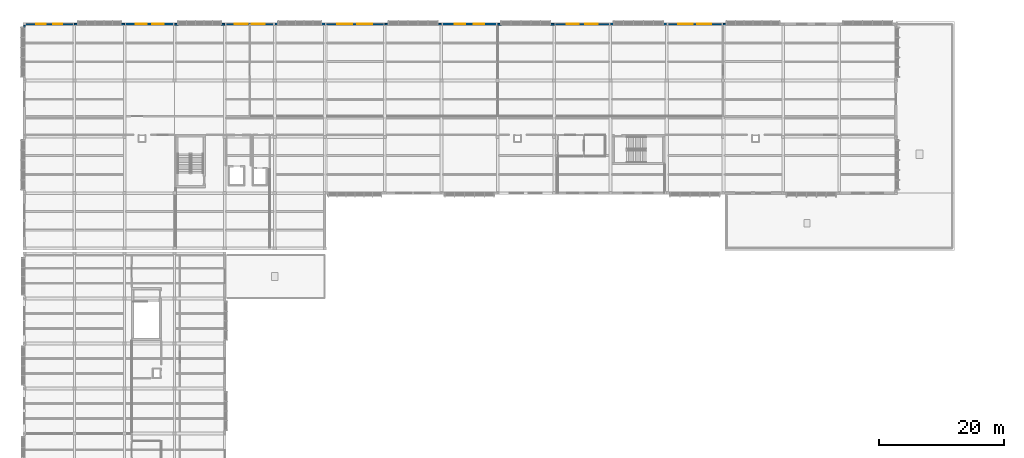
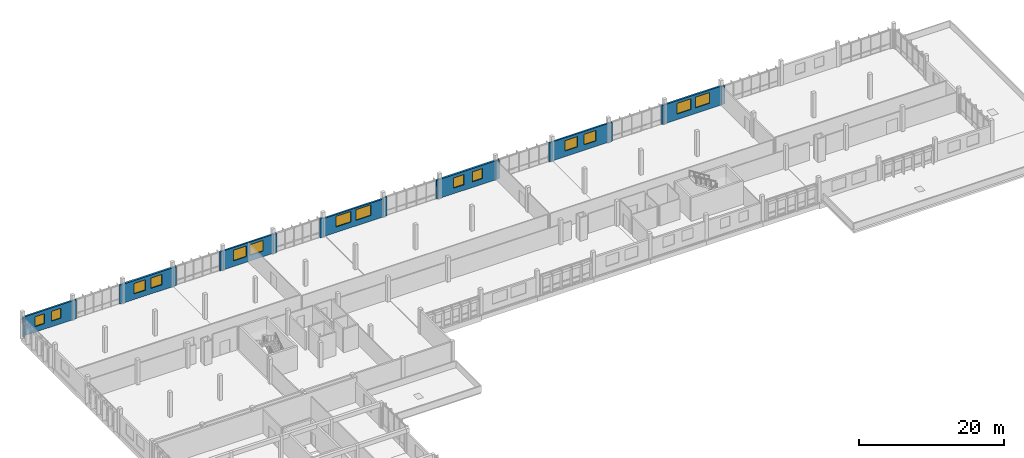
# One storey, part 99 of 107: 21 walls, 14 windows, 14 openings.
"""IFC4 building model written with IfcOpenShell, lengths in metres."""

import ifcopenshell
import ifcopenshell.guid

model = None  # the IFC model being written
_history = None  # IfcOwnerHistory: only IFC2X3 demands one
_inside = {}  # id of a spatial element -> (the spatial element, [elements in it])
_under = {}  # id of a project, library or spatial element -> (it, [spatial elements below it])
_declared = {}  # id of a project -> (the project, [libraries it declares])
_typed = {}  # id of a type object -> (the type object, [elements of that type])
_made_of = {}  # id of a material, layer set ... -> (it, [elements and type objects made of it])


def new_model(schema):
    """Start an empty IFC model of exactly this schema.

    Asked for "IFC4X3", IfcOpenShell would pick the latest addendum, in which some entities
    have other attributes; the version numbers below select the first issue.
    IFC2X3 requires an IfcOwnerHistory on every rooted entity: one is made here for all.
    """
    global model, _history
    if schema == "IFC4X3":
        model = ifcopenshell.file(schema_version=(4, 3, 0, 0))
    else:
        model = ifcopenshell.file(schema=schema)
    _inside.clear()
    _under.clear()
    _declared.clear()
    _typed.clear()
    _made_of.clear()
    _history = None
    if model.schema == "IFC2X3":
        org = make("IfcOrganization", Name="unknown")
        user = make(
            "IfcPersonAndOrganization",
            ThePerson=make("IfcPerson", FamilyName="unknown"),
            TheOrganization=org,
        )
        app = make(
            "IfcApplication",
            ApplicationDeveloper=org,
            Version="unknown",
            ApplicationFullName="unknown",
            ApplicationIdentifier="unknown",
        )
        _history = make(
            "IfcOwnerHistory",
            OwningUser=user,
            OwningApplication=app,
            ChangeAction="ADDED",
            CreationDate=0,
        )
    return model


def make(cls, **values):
    """One entity of the class cls with the attributes given. An attribute that is None is left unset."""
    return model.create_entity(
        cls, **{name: value for name, value in values.items() if value is not None}
    )


def rooted(cls, **values):
    """An entity with a GlobalId (a new one), such as an element, a storey or a relation."""
    return make(cls, GlobalId=ifcopenshell.guid.new(), OwnerHistory=_history, **values)


def si_unit(unit_type, name, prefix=None):
    """IfcSIUnit, for example si_unit("LENGTHUNIT", "METRE", prefix="MILLI")."""
    return make("IfcSIUnit", UnitType=unit_type, Prefix=prefix, Name=name)


def assignment(units):
    """IfcUnitAssignment: the units of a project."""
    return None if units is None else make("IfcUnitAssignment", Units=units)


def point(xyz):
    """IfcCartesianPoint."""
    return None if xyz is None else make("IfcCartesianPoint", Coordinates=xyz)


def direction(xyz):
    """IfcDirection."""
    return None if xyz is None else make("IfcDirection", DirectionRatios=xyz)


def frame(location, z_axis=None, x_axis=None):
    """IfcAxis2Placement3D, a coordinate frame: its origin and axes. An axis left out is left unset."""
    return make(
        "IfcAxis2Placement3D",
        Location=point(location),
        Axis=direction(z_axis),
        RefDirection=direction(x_axis),
    )


def frame_2d(location, x_axis=None):
    """IfcAxis2Placement2D, a coordinate frame in the plane: its origin and x axis."""
    return make(
        "IfcAxis2Placement2D", Location=point(location), RefDirection=direction(x_axis)
    )


def origin():
    """The frame at (0, 0, 0) with its axes left unset."""
    return frame((0.0, 0.0, 0.0))


def place(relative_to, where):
    """IfcLocalPlacement: puts the frame where relative to a parent placement (None: the world)."""
    return make(
        "IfcLocalPlacement", PlacementRelTo=relative_to, RelativePlacement=where
    )


def context(
    kind, dimensions, precision=None, world=None, true_north=None, identifier=None
):
    """IfcGeometricRepresentationContext, for example the 3D "Model" context."""
    return make(
        "IfcGeometricRepresentationContext",
        ContextIdentifier=identifier,
        ContextType=kind,
        CoordinateSpaceDimension=dimensions,
        Precision=precision,
        WorldCoordinateSystem=world,
        TrueNorth=true_north,
    )


def subcontext(parent, identifier, kind, view, scale=None):
    """IfcGeometricRepresentationSubContext, for example "Body" below "Model"."""
    return make(
        "IfcGeometricRepresentationSubContext",
        ContextIdentifier=identifier,
        ContextType=kind,
        ParentContext=parent,
        TargetScale=scale,
        TargetView=view,
    )


def project(units=None, contexts=None):
    """IfcProject with its units and contexts."""
    return rooted(
        "IfcProject",
        Name="project",
        RepresentationContexts=contexts,
        UnitsInContext=assignment(units),
    )


def spatial(cls, under=None, at=None, **own):
    """A site, building, storey or space (cls), placed at a placement, below another one or the project."""
    s = rooted(cls, ObjectPlacement=at, **own)
    if under is not None:
        _under.setdefault(under.id(), (under, []))[1].append(s)
    return s


def profile(cls, at=None, kind="AREA", **sizes):
    """A parametric profile (cls). Its sizes go by their IFC names, for example OverallWidth=200.0."""
    return make(cls, ProfileType=kind, Position=at, **sizes)


def rectangle(**sizes):
    """IfcRectangleProfileDef."""
    return profile("IfcRectangleProfileDef", **sizes)


def extrude(swept, where, along, depth):
    """IfcExtrudedAreaSolid: the profile swept, set in the frame where, extruded along a direction by depth."""
    return make(
        "IfcExtrudedAreaSolid",
        SweptArea=swept,
        Position=where,
        ExtrudedDirection=direction(along),
        Depth=depth,
    )


def shape(context_of_items, identifier, shape_type, items):
    """IfcShapeRepresentation: the items that make up one representation, for example the "Body"."""
    return make(
        "IfcShapeRepresentation",
        ContextOfItems=context_of_items,
        RepresentationIdentifier=identifier,
        RepresentationType=shape_type,
        Items=items,
    )


def material(Name=None, Category=None):
    """IfcMaterial."""
    return make("IfcMaterial", Name=Name, Category=Category)


def layer(
    of_material, thickness, ventilated=None, Name=None, Category=None, Priority=None
):
    """IfcMaterialLayer: one layer of a wall or slab, of a material (None: an air gap)."""
    return make(
        "IfcMaterialLayer",
        Material=of_material,
        LayerThickness=thickness,
        IsVentilated=ventilated,
        Name=Name,
        Category=Category,
        Priority=Priority,
    )


def layer_set(layers, Name=None):
    """IfcMaterialLayerSet."""
    return make("IfcMaterialLayerSet", MaterialLayers=layers, LayerSetName=Name)


def made_of(thing, what):
    """Note that an element or type object is made of a material, layer set ...; save() writes the relation."""
    if what is not None:
        _made_of.setdefault(what.id(), (what, []))[1].append(thing)
    return thing


def type_object(cls, material=None, **own):
    """A type object (cls), such as IfcWallType, which elements share."""
    return made_of(rooted(cls, **own), material)


def element(
    cls,
    number,
    at=None,
    inside=None,
    cuts=None,
    type_object=None,
    material=None,
    context=None,
    identifier="Body",
    shape_type=None,
    held_by="IfcProductDefinitionShape",
    body=None,
    shapes=None,
    **own,
):
    """One element of the class cls, such as IfcWall. Its Tag is "e" and its number.

    at: its placement. inside: the storey or other place that contains it. cuts: it is an
    opening in that element (IfcRelVoidsElement). A single representation is given by context,
    identifier, shape_type and body (its items); several are given by shapes. held_by: the class
    of the entity that holds the representations. save() writes the other relations.
    """
    e = rooted(cls, Tag="e%d" % number, ObjectPlacement=at, **own)
    if body is not None:
        shapes = [shape(context, identifier, shape_type, body)]
    if shapes is not None:
        e.Representation = make(held_by, Representations=shapes)
    if inside is not None:
        _inside.setdefault(inside.id(), (inside, []))[1].append(e)
    if cuts is not None:
        rooted(
            "IfcRelVoidsElement", RelatingBuildingElement=cuts, RelatedOpeningElement=e
        )
    if type_object is not None:
        _typed.setdefault(type_object.id(), (type_object, []))[1].append(e)
    return made_of(e, material)


def fill(opening, filler):
    """IfcRelFillsElement: the door or window that sits in an opening."""
    return rooted(
        "IfcRelFillsElement",
        RelatingOpeningElement=opening,
        RelatedBuildingElement=filler,
    )


def aggregate(whole, parts):
    """IfcRelAggregates: a whole, such as a stair, and the parts it consists of."""
    return rooted("IfcRelAggregates", RelatingObject=whole, RelatedObjects=parts)


def save(model, path):
    """Write the relations noted so far, then the file.

    IfcRelAggregates (storeys below a building ...), IfcRelContainedInSpatialStructure (elements
    in a storey), IfcRelDefinesByType, IfcRelAssociatesMaterial and IfcRelDeclares: one each for
    every whole, place, type object, material and project.
    """
    for whole, parts in _under.values():
        aggregate(whole, parts)
    for where, things in _inside.values():
        rooted(
            "IfcRelContainedInSpatialStructure",
            RelatedElements=things,
            RelatingStructure=where,
        )
    for kind, things in _typed.values():
        rooted("IfcRelDefinesByType", RelatedObjects=things, RelatingType=kind)
    for what, things in _made_of.values():
        rooted("IfcRelAssociatesMaterial", RelatedObjects=things, RelatingMaterial=what)
    for by, libraries in _declared.values():
        rooted("IfcRelDeclares", RelatingContext=by, RelatedDefinitions=libraries)
    model.write(path)


model = new_model("IFC4")

# Units and contexts
model_context = context("Model", 3, precision=1e-05, world=origin(), true_north=direction((0.0, 1.0)))
body_context = subcontext(model_context, "Body", "Model", "MODEL_VIEW")
ifc_project = project(units=[si_unit("LENGTHUNIT", "METRE"), si_unit("AREAUNIT", "SQUARE_METRE"), si_unit("VOLUMEUNIT", "CUBIC_METRE"), si_unit("PLANEANGLEUNIT", "RADIAN"), si_unit("MASSUNIT", "GRAM", prefix="KILO")], contexts=[model_context])

# Site, building, storey
site_placement = place(None, origin())
site = spatial("IfcSite", under=ifc_project, at=site_placement, CompositionType="ELEMENT")
building_placement = place(site_placement, origin())
building = spatial("IfcBuilding", under=site, at=building_placement, Name="Chiffa Square Polytechnic", CompositionType="ELEMENT")
storey_placement = place(building_placement, frame((0.0, 0.0, 13.800048828125)))
storey = spatial("IfcBuildingStorey", under=building, at=storey_placement, Name="L03", CompositionType="ELEMENT", Elevation=13.800048828125)

# Wall
ifc_material_1 = material(Name="Precast concrete C40/50", Category="concrete")
ifc_layer_1 = layer(ifc_material_1, 0.260009765625, Name="Precast concrete C40/50")
ifc_layer_set_1 = layer_set([ifc_layer_1], Name="Precast concrete C40/50")
wall_type_1 = type_object("IfcWallType", Name="WL-EXT-PC260", PredefinedType="SOLIDWALL", material=ifc_layer_set_1)
wall_1_placement = place(storey_placement, frame((112.139892578125, 130.800048828125, 0.0), z_axis=(0.0, 0.0, 1.0), x_axis=(-1.0, 0.0, 0.0)))
element("IfcWall", 1, at=wall_1_placement, inside=storey, type_object=wall_type_1, Name="Facade column pier V5-L03-0345R", PredefinedType="SOLIDWALL", context=body_context, shape_type="SweptSolid", body=[
    extrude(rectangle(XDim=0.539794921875, YDim=0.260009765625, at=frame_2d((0.27001953125, 0.0))), origin(), (0.0, 0.0, 1.0), 3.044921875),
])

# Wall, openings, windows
wall_2_placement = place(storey_placement, frame((93.60009765625, 130.800048828125, 0.0), z_axis=(0.0, 0.0, 1.0), x_axis=(-1.0, 0.0, 0.0)))
wall_2 = element("IfcWall", 2, at=wall_2_placement, inside=storey, type_object=wall_type_1, Name="Exterior wall WE-V5-L03-0348", PredefinedType="SOLIDWALL", context=body_context, shape_type="SweptSolid", body=[
    extrude(rectangle(XDim=9.0, YDim=0.260009765625, at=frame_2d((4.5, 0.0))), origin(), (0.0, 0.0, 1.0), 3.195068359375),
])
opening_1_placement = place(wall_2_placement, frame((2.02490234375, 0.0, 0.949951171875)))
opening_1 = element("IfcOpeningElement", 3, at=opening_1_placement, cuts=wall_2, Name="Opening W-04", PredefinedType="OPENING", context=body_context, shape_type="SweptSolid", body=[
    extrude(rectangle(XDim=1.949951171875, YDim=1.75, at=frame_2d((0.97509765625, 0.875))), frame((0.0, 0.14013671875, 0.0), z_axis=(0.0, -1.0, 0.0), x_axis=(1.0, 0.0, 0.0)), (0.0, 0.0, 1.0), 0.280029296875),
])
opening_2_placement = place(wall_2_placement, frame((5.02490234375, 0.0, 0.949951171875)))
opening_2 = element("IfcOpeningElement", 4, at=opening_2_placement, cuts=wall_2, Name="Opening W-04", PredefinedType="OPENING", context=body_context, shape_type="SweptSolid", body=[
    extrude(rectangle(XDim=1.949951171875, YDim=1.75, at=frame_2d((0.97509765625, 0.875))), frame((0.0, 0.14013671875, 0.0), z_axis=(0.0, -1.0, 0.0), x_axis=(1.0, 0.0, 0.0)), (0.0, 0.0, 1.0), 0.280029296875),
])
ifc_material_2 = material(Name="Double glazing in thermally broken aluminium frame", Category="aluminium")
window_type_1 = type_object("IfcWindowType", Name="WIN-LAB-1950X1750", PartitioningType="DOUBLE_PANEL_VERTICAL", PredefinedType="WINDOW", material=ifc_material_2)
window_1_placement = place(opening_1_placement, origin())
window_1 = element("IfcWindow", 5, at=window_1_placement, inside=storey, type_object=window_type_1, Name="Facade window WN-L03-0241", OverallHeight=1.75, OverallWidth=1.949951171875, PartitioningType="DOUBLE_PANEL_VERTICAL", PredefinedType="WINDOW", context=body_context, shape_type="SweptSolid", body=[
    extrude(rectangle(XDim=1.949951171875, YDim=1.75, at=frame_2d((0.97509765625, 0.875))), frame((0.0, 0.030029296875, 0.0), z_axis=(0.0, -1.0, 0.0), x_axis=(1.0, 0.0, 0.0)), (0.0, 0.0, 1.0), 0.06005859375),
])
fill(opening_1, window_1)
window_2_placement = place(opening_2_placement, origin())
window_2 = element("IfcWindow", 6, at=window_2_placement, inside=storey, type_object=window_type_1, Name="Facade window WN-L03-0242", OverallHeight=1.75, OverallWidth=1.949951171875, PartitioningType="DOUBLE_PANEL_VERTICAL", PredefinedType="WINDOW", context=body_context, shape_type="SweptSolid", body=[
    extrude(rectangle(XDim=1.949951171875, YDim=1.75, at=frame_2d((0.97509765625, 0.875))), frame((0.0, 0.030029296875, 0.0), z_axis=(0.0, -1.0, 0.0), x_axis=(1.0, 0.0, 0.0)), (0.0, 0.0, 1.0), 0.06005859375),
])
fill(opening_2, window_2)

# Walls
wall_3_placement = place(storey_placement, frame((66.60009765625, 130.800048828125, 0.0), z_axis=(0.0, 0.0, 1.0), x_axis=(-1.0, 0.0, 0.0)))
element("IfcWall", 7, at=wall_3_placement, inside=storey, type_object=wall_type_1, Name="Facade column pier V5-L03-0351L", PredefinedType="SOLIDWALL", context=body_context, shape_type="SweptSolid", body=[
    extrude(rectangle(XDim=0.5400390625, YDim=0.260009765625, at=frame_2d((0.27001953125, 0.0))), origin(), (0.0, 0.0, 1.0), 3.195068359375),
])
wall_4_placement = place(storey_placement, frame((58.139892578125, 130.800048828125, 0.0), z_axis=(0.0, 0.0, 1.0), x_axis=(-1.0, 0.0, 0.0)))
element("IfcWall", 8, at=wall_4_placement, inside=storey, type_object=wall_type_1, Name="Facade column pier V5-L03-0351R", PredefinedType="SOLIDWALL", context=body_context, shape_type="SweptSolid", body=[
    extrude(rectangle(XDim=0.539794921875, YDim=0.260009765625, at=frame_2d((0.27001953125, 0.0))), origin(), (0.0, 0.0, 1.0), 3.195068359375),
])

# Wall, openings, windows
wall_5_placement = place(storey_placement, frame((40.0, 130.800048828125, 0.0), z_axis=(0.0, 0.0, 1.0), x_axis=(-1.0, 0.0, 0.0)))
wall_5 = element("IfcWall", 9, at=wall_5_placement, inside=storey, type_object=wall_type_1, Name="Exterior wall WE-V5-L03-0354", PredefinedType="SOLIDWALL", context=body_context, shape_type="SweptSolid", body=[
    extrude(rectangle(XDim=8.0, YDim=0.260009765625, at=frame_2d((4.0, 0.0))), origin(), (0.0, 0.0, 1.0), 3.195068359375),
])
opening_3_placement = place(wall_5_placement, frame((1.616943359375, 0.0, 0.949951171875)))
opening_3 = element("IfcOpeningElement", 10, at=opening_3_placement, cuts=wall_5, Name="Opening W-03", PredefinedType="OPENING", context=body_context, shape_type="SweptSolid", body=[
    extrude(rectangle(XDim=2.10009765625, YDim=1.800048828125, at=frame_2d((1.050048828125, 0.89990234375))), frame((0.0, 0.14013671875, 0.0), z_axis=(0.0, -1.0, 0.0), x_axis=(1.0, 0.0, 0.0)), (0.0, 0.0, 1.0), 0.280029296875),
])
opening_4_placement = place(wall_5_placement, frame((4.282958984375, 0.0, 0.949951171875)))
opening_4 = element("IfcOpeningElement", 11, at=opening_4_placement, cuts=wall_5, Name="Opening W-03", PredefinedType="OPENING", context=body_context, shape_type="SweptSolid", body=[
    extrude(rectangle(XDim=2.10009765625, YDim=1.800048828125, at=frame_2d((1.050048828125, 0.89990234375))), frame((0.0, 0.14013671875, 0.0), z_axis=(0.0, -1.0, 0.0), x_axis=(1.0, 0.0, 0.0)), (0.0, 0.0, 1.0), 0.280029296875),
])
window_type_2 = type_object("IfcWindowType", Name="WIN-LAB-2100X1800", PartitioningType="DOUBLE_PANEL_VERTICAL", PredefinedType="WINDOW", material=ifc_material_2)
window_3_placement = place(opening_3_placement, origin())
window_3 = element("IfcWindow", 12, at=window_3_placement, inside=storey, type_object=window_type_2, Name="Facade window WN-L03-0247", OverallHeight=1.800048828125, OverallWidth=2.10009765625, PartitioningType="DOUBLE_PANEL_VERTICAL", PredefinedType="WINDOW", context=body_context, shape_type="SweptSolid", body=[
    extrude(rectangle(XDim=2.10009765625, YDim=1.800048828125, at=frame_2d((1.050048828125, 0.89990234375))), frame((0.0, 0.030029296875, 0.0), z_axis=(0.0, -1.0, 0.0), x_axis=(1.0, 0.0, 0.0)), (0.0, 0.0, 1.0), 0.06005859375),
])
fill(opening_3, window_3)
window_4_placement = place(opening_4_placement, origin())
window_4 = element("IfcWindow", 13, at=window_4_placement, inside=storey, type_object=window_type_2, Name="Facade window WN-L03-0248", OverallHeight=1.800048828125, OverallWidth=2.10009765625, PartitioningType="DOUBLE_PANEL_VERTICAL", PredefinedType="WINDOW", context=body_context, shape_type="SweptSolid", body=[
    extrude(rectangle(XDim=2.10009765625, YDim=1.800048828125, at=frame_2d((1.050048828125, 0.89990234375))), frame((0.0, 0.030029296875, 0.0), z_axis=(0.0, -1.0, 0.0), x_axis=(1.0, 0.0, 0.0)), (0.0, 0.0, 1.0), 0.06005859375),
])
fill(opening_4, window_4)

# Walls
for number, where, z_axis, x_axis, name in (
    (14, (16.0, 130.800048828125, 0.0), (0.0, 0.0, 1.0), (-1.0, 0.0, 0.0), "Facade column pier V5-L03-0357L"),
    (15, (8.5400390625, 130.800048828125, 0.0), (0.0, 0.0, 1.0), (-1.0, 0.0, 0.0), "Facade column pier V5-L03-0357R"),
):
    element("IfcWall", number, at=place(storey_placement, frame(where, z_axis=z_axis, x_axis=x_axis)), inside=storey, type_object=wall_type_1, Name=name, PredefinedType="SOLIDWALL", context=body_context, shape_type="SweptSolid", body=[
        extrude(rectangle(XDim=0.5400390625, YDim=0.260009765625, at=frame_2d((0.27001953125, 0.0))), origin(), (0.0, 0.0, 1.0), 3.195068359375),
    ])
wall_6_placement = place(storey_placement, frame((0.0, 130.657958984375, 0.0), z_axis=(0.0, 0.0, 1.0), x_axis=(0.0, -1.0, 0.0)))
element("IfcWall", 16, at=wall_6_placement, inside=storey, type_object=wall_type_1, Name="Facade column pier V5-L03-0359L", PredefinedType="SOLIDWALL", context=body_context, shape_type="SweptSolid", body=[
    extrude(rectangle(XDim=0.39794921875, YDim=0.260009765625, at=frame_2d((0.198974609375, 0.0))), origin(), (0.0, 0.0, 1.0), 3.195068359375),
])

# Wall, openings, windows
ifc_layer_2 = layer(ifc_material_1, 0.280029296875, Name="Precast concrete C40/50")
ifc_layer_set_2 = layer_set([ifc_layer_2], Name="Precast concrete C40/50")
wall_type_2 = type_object("IfcWallType", Name="WL-EXT-PC280", PredefinedType="SOLIDWALL", material=ifc_layer_set_2)
wall_7_placement = place(storey_placement, frame((111.60009765625, 130.800048828125, 0.0), z_axis=(0.0, 0.0, 1.0), x_axis=(-1.0, 0.0, 0.0)))
wall_7 = element("IfcWall", 17, at=wall_7_placement, inside=storey, type_object=wall_type_2, Name="Exterior wall WE-V5-L03-0346", PredefinedType="SOLIDWALL", context=body_context, shape_type="SweptSolid", body=[
    extrude(rectangle(XDim=9.0, YDim=0.280029296875, at=frame_2d((4.5, 0.0))), origin(), (0.0, 0.0, 1.0), 3.195068359375),
])
opening_5_placement = place(wall_7_placement, frame((1.875, 0.0, 0.949951171875)))
opening_5 = element("IfcOpeningElement", 18, at=opening_5_placement, cuts=wall_7, Name="Opening W-02", PredefinedType="OPENING", context=body_context, shape_type="SweptSolid", body=[
    extrude(rectangle(XDim=2.25, YDim=1.800048828125, at=frame_2d((1.125, 0.89990234375))), frame((0.0, 0.14990234375, 0.0), z_axis=(0.0, -1.0, 0.0), x_axis=(1.0, 0.0, 0.0)), (0.0, 0.0, 1.0), 0.300048828125),
])
opening_6_placement = place(wall_7_placement, frame((4.875, 0.0, 0.949951171875)))
opening_6 = element("IfcOpeningElement", 19, at=opening_6_placement, cuts=wall_7, Name="Opening W-02", PredefinedType="OPENING", context=body_context, shape_type="SweptSolid", body=[
    extrude(rectangle(XDim=2.25, YDim=1.800048828125, at=frame_2d((1.125, 0.89990234375))), frame((0.0, 0.14990234375, 0.0), z_axis=(0.0, -1.0, 0.0), x_axis=(1.0, 0.0, 0.0)), (0.0, 0.0, 1.0), 0.300048828125),
])
window_type_3 = type_object("IfcWindowType", Name="WIN-LAB-2250X1800", PartitioningType="DOUBLE_PANEL_VERTICAL", PredefinedType="WINDOW", material=ifc_material_2)
window_5_placement = place(opening_5_placement, origin())
window_5 = element("IfcWindow", 20, at=window_5_placement, inside=storey, type_object=window_type_3, Name="Facade window WN-L03-0239", OverallHeight=1.800048828125, OverallWidth=2.25, PartitioningType="DOUBLE_PANEL_VERTICAL", PredefinedType="WINDOW", context=body_context, shape_type="SweptSolid", body=[
    extrude(rectangle(XDim=2.25, YDim=1.800048828125, at=frame_2d((1.125, 0.89990234375))), frame((0.0, 0.030029296875, 0.0), z_axis=(0.0, -1.0, 0.0), x_axis=(1.0, 0.0, 0.0)), (0.0, 0.0, 1.0), 0.06005859375),
])
fill(opening_5, window_5)
window_6_placement = place(opening_6_placement, origin())
window_6 = element("IfcWindow", 21, at=window_6_placement, inside=storey, type_object=window_type_3, Name="Facade window WN-L03-0240", OverallHeight=1.800048828125, OverallWidth=2.25, PartitioningType="DOUBLE_PANEL_VERTICAL", PredefinedType="WINDOW", context=body_context, shape_type="SweptSolid", body=[
    extrude(rectangle(XDim=2.25, YDim=1.800048828125, at=frame_2d((1.125, 0.89990234375))), frame((0.0, 0.030029296875, 0.0), z_axis=(0.0, -1.0, 0.0), x_axis=(1.0, 0.0, 0.0)), (0.0, 0.0, 1.0), 0.06005859375),
])
fill(opening_6, window_6)

# Walls
wall_8_placement = place(storey_placement, frame((84.60009765625, 130.800048828125, 0.0), z_axis=(0.0, 0.0, 1.0), x_axis=(-1.0, 0.0, 0.0)))
element("IfcWall", 22, at=wall_8_placement, inside=storey, type_object=wall_type_2, Name="Facade column pier V5-L03-0349L", PredefinedType="SOLIDWALL", context=body_context, shape_type="SweptSolid", body=[
    extrude(rectangle(XDim=0.5400390625, YDim=0.280029296875, at=frame_2d((0.27001953125, 0.0))), origin(), (0.0, 0.0, 1.0), 3.195068359375),
])
wall_9_placement = place(storey_placement, frame((76.139892578125, 130.800048828125, 0.0), z_axis=(0.0, 0.0, 1.0), x_axis=(-1.0, 0.0, 0.0)))
element("IfcWall", 23, at=wall_9_placement, inside=storey, type_object=wall_type_2, Name="Facade column pier V5-L03-0349R", PredefinedType="SOLIDWALL", context=body_context, shape_type="SweptSolid", body=[
    extrude(rectangle(XDim=0.539794921875, YDim=0.280029296875, at=frame_2d((0.27001953125, 0.0))), origin(), (0.0, 0.0, 1.0), 3.195068359375),
])

# Wall, openings, windows
wall_10_placement = place(storey_placement, frame((57.60009765625, 130.800048828125, 0.0), z_axis=(0.0, 0.0, 1.0), x_axis=(-1.0, 0.0, 0.0)))
wall_10 = element("IfcWall", 24, at=wall_10_placement, inside=storey, type_object=wall_type_2, Name="Exterior wall WE-V5-L03-0352", PredefinedType="SOLIDWALL", context=body_context, shape_type="SweptSolid", body=[
    extrude(rectangle(XDim=9.60009765625, YDim=0.280029296875, at=frame_2d((4.800048828125, 0.0))), origin(), (0.0, 0.0, 1.0), 3.044921875),
])
opening_7_placement = place(wall_10_placement, frame((2.0, 0.0, 0.949951171875)))
opening_7 = element("IfcOpeningElement", 25, at=opening_7_placement, cuts=wall_10, Name="Opening W-01", PredefinedType="OPENING", context=body_context, shape_type="SweptSolid", body=[
    extrude(rectangle(XDim=2.39990234375, YDim=1.800048828125, at=frame_2d((1.199951171875, 0.89990234375))), frame((0.0, 0.14990234375, 0.0), z_axis=(0.0, -1.0, 0.0), x_axis=(1.0, 0.0, 0.0)), (0.0, 0.0, 1.0), 0.300048828125),
])
opening_8_placement = place(wall_10_placement, frame((5.199951171875, 0.0, 0.949951171875)))
opening_8 = element("IfcOpeningElement", 26, at=opening_8_placement, cuts=wall_10, Name="Opening W-01", PredefinedType="OPENING", context=body_context, shape_type="SweptSolid", body=[
    extrude(rectangle(XDim=2.39990234375, YDim=1.800048828125, at=frame_2d((1.199951171875, 0.89990234375))), frame((0.0, 0.14990234375, 0.0), z_axis=(0.0, -1.0, 0.0), x_axis=(1.0, 0.0, 0.0)), (0.0, 0.0, 1.0), 0.300048828125),
])
window_type_4 = type_object("IfcWindowType", Name="WIN-LAB-2400X1800", PartitioningType="DOUBLE_PANEL_VERTICAL", PredefinedType="WINDOW", material=ifc_material_2)
window_7_placement = place(opening_7_placement, origin())
window_7 = element("IfcWindow", 27, at=window_7_placement, inside=storey, type_object=window_type_4, Name="Facade window WN-L03-0245", OverallHeight=1.800048828125, OverallWidth=2.39990234375, PartitioningType="DOUBLE_PANEL_VERTICAL", PredefinedType="WINDOW", context=body_context, shape_type="SweptSolid", body=[
    extrude(rectangle(XDim=2.39990234375, YDim=1.800048828125, at=frame_2d((1.199951171875, 0.89990234375))), frame((0.0, 0.030029296875, 0.0), z_axis=(0.0, -1.0, 0.0), x_axis=(1.0, 0.0, 0.0)), (0.0, 0.0, 1.0), 0.06005859375),
])
fill(opening_7, window_7)
window_8_placement = place(opening_8_placement, origin())
window_8 = element("IfcWindow", 28, at=window_8_placement, inside=storey, type_object=window_type_4, Name="Facade window WN-L03-0246", OverallHeight=1.800048828125, OverallWidth=2.39990234375, PartitioningType="DOUBLE_PANEL_VERTICAL", PredefinedType="WINDOW", context=body_context, shape_type="SweptSolid", body=[
    extrude(rectangle(XDim=2.39990234375, YDim=1.800048828125, at=frame_2d((1.199951171875, 0.89990234375))), frame((0.0, 0.030029296875, 0.0), z_axis=(0.0, -1.0, 0.0), x_axis=(1.0, 0.0, 0.0)), (0.0, 0.0, 1.0), 0.06005859375),
])
fill(opening_8, window_8)

# Walls
for number, where, z_axis, x_axis, name in (
    (29, (32.0, 130.800048828125, 0.0), (0.0, 0.0, 1.0), (-1.0, 0.0, 0.0), "Facade column pier V5-L03-0355L"),
    (30, (24.5400390625, 130.800048828125, 0.0), (0.0, 0.0, 1.0), (-1.0, 0.0, 0.0), "Facade column pier V5-L03-0355R"),
):
    element("IfcWall", number, at=place(storey_placement, frame(where, z_axis=z_axis, x_axis=x_axis)), inside=storey, type_object=wall_type_2, Name=name, PredefinedType="SOLIDWALL", context=body_context, shape_type="SweptSolid", body=[
        extrude(rectangle(XDim=0.5400390625, YDim=0.280029296875, at=frame_2d((0.27001953125, 0.0))), origin(), (0.0, 0.0, 1.0), 3.195068359375),
    ])

# Wall, openings, windows
wall_11_placement = place(storey_placement, frame((8.0, 130.800048828125, 0.0), z_axis=(0.0, 0.0, 1.0), x_axis=(-1.0, 0.0, 0.0)))
wall_11 = element("IfcWall", 31, at=wall_11_placement, inside=storey, type_object=wall_type_2, Name="Exterior wall WE-V5-L03-0358", PredefinedType="SOLIDWALL", context=body_context, shape_type="SweptSolid", body=[
    extrude(rectangle(XDim=8.0, YDim=0.280029296875, at=frame_2d((4.0, 0.0))), origin(), (0.0, 0.0, 1.0), 3.195068359375),
])
opening_9_placement = place(wall_11_placement, frame((1.9169921875, 0.0, 0.949951171875)))
opening_9 = element("IfcOpeningElement", 32, at=opening_9_placement, cuts=wall_11, Name="Opening W-07", PredefinedType="OPENING", context=body_context, shape_type="SweptSolid", body=[
    extrude(rectangle(XDim=1.5, YDim=1.64990234375, at=frame_2d((0.75, 0.824951171875))), frame((0.0, 0.14990234375, 0.0), z_axis=(0.0, -1.0, 0.0), x_axis=(1.0, 0.0, 0.0)), (0.0, 0.0, 1.0), 0.300048828125),
])
opening_10_placement = place(wall_11_placement, frame((4.5830078125, 0.0, 0.949951171875)))
opening_10 = element("IfcOpeningElement", 33, at=opening_10_placement, cuts=wall_11, Name="Opening W-07", PredefinedType="OPENING", context=body_context, shape_type="SweptSolid", body=[
    extrude(rectangle(XDim=1.5, YDim=1.64990234375, at=frame_2d((0.75, 0.824951171875))), frame((0.0, 0.14990234375, 0.0), z_axis=(0.0, -1.0, 0.0), x_axis=(1.0, 0.0, 0.0)), (0.0, 0.0, 1.0), 0.300048828125),
])
window_type_5 = type_object("IfcWindowType", Name="WIN-LAB-1500X1650", PartitioningType="DOUBLE_PANEL_VERTICAL", PredefinedType="WINDOW", material=ifc_material_2)
window_9_placement = place(opening_9_placement, origin())
window_9 = element("IfcWindow", 34, at=window_9_placement, inside=storey, type_object=window_type_5, Name="Facade window WN-L03-0251", OverallHeight=1.64990234375, OverallWidth=1.5, PartitioningType="DOUBLE_PANEL_VERTICAL", PredefinedType="WINDOW", context=body_context, shape_type="SweptSolid", body=[
    extrude(rectangle(XDim=1.5, YDim=1.64990234375, at=frame_2d((0.75, 0.824951171875))), frame((0.0, 0.030029296875, 0.0), z_axis=(0.0, -1.0, 0.0), x_axis=(1.0, 0.0, 0.0)), (0.0, 0.0, 1.0), 0.06005859375),
])
fill(opening_9, window_9)
window_10_placement = place(opening_10_placement, origin())
window_10 = element("IfcWindow", 35, at=window_10_placement, inside=storey, type_object=window_type_5, Name="Facade window WN-L03-0252", OverallHeight=1.64990234375, OverallWidth=1.5, PartitioningType="DOUBLE_PANEL_VERTICAL", PredefinedType="WINDOW", context=body_context, shape_type="SweptSolid", body=[
    extrude(rectangle(XDim=1.5, YDim=1.64990234375, at=frame_2d((0.75, 0.824951171875))), frame((0.0, 0.030029296875, 0.0), z_axis=(0.0, -1.0, 0.0), x_axis=(1.0, 0.0, 0.0)), (0.0, 0.0, 1.0), 0.06005859375),
])
fill(opening_10, window_10)

# Walls
ifc_layer_3 = layer(ifc_material_1, 0.320068359375, Name="Precast concrete C40/50")
ifc_layer_set_3 = layer_set([ifc_layer_3], Name="Precast concrete C40/50")
wall_type_3 = type_object("IfcWallType", Name="WL-EXT-PC320", PredefinedType="SOLIDWALL", material=ifc_layer_set_3)
wall_12_placement = place(storey_placement, frame((102.60009765625, 130.800048828125, 0.0), z_axis=(0.0, 0.0, 1.0), x_axis=(-1.0, 0.0, 0.0)))
element("IfcWall", 36, at=wall_12_placement, inside=storey, type_object=wall_type_3, Name="Facade column pier V5-L03-0347L", PredefinedType="SOLIDWALL", context=body_context, shape_type="SweptSolid", body=[
    extrude(rectangle(XDim=0.5400390625, YDim=0.320068359375, at=frame_2d((0.27001953125, 0.0))), origin(), (0.0, 0.0, 1.0), 3.195068359375),
])
wall_13_placement = place(storey_placement, frame((94.139892578125, 130.800048828125, 0.0), z_axis=(0.0, 0.0, 1.0), x_axis=(-1.0, 0.0, 0.0)))
element("IfcWall", 37, at=wall_13_placement, inside=storey, type_object=wall_type_3, Name="Facade column pier V5-L03-0347R", PredefinedType="SOLIDWALL", context=body_context, shape_type="SweptSolid", body=[
    extrude(rectangle(XDim=0.539794921875, YDim=0.320068359375, at=frame_2d((0.27001953125, 0.0))), origin(), (0.0, 0.0, 1.0), 3.195068359375),
])

# Wall, openings, windows
wall_14_placement = place(storey_placement, frame((75.60009765625, 130.800048828125, 0.0), z_axis=(0.0, 0.0, 1.0), x_axis=(-1.0, 0.0, 0.0)))
wall_14 = element("IfcWall", 38, at=wall_14_placement, inside=storey, type_object=wall_type_3, Name="Exterior wall WE-V5-L03-0350", PredefinedType="SOLIDWALL", context=body_context, shape_type="SweptSolid", body=[
    extrude(rectangle(XDim=9.0, YDim=0.320068359375, at=frame_2d((4.5, 0.0))), origin(), (0.0, 0.0, 1.0), 3.195068359375),
])
opening_11_placement = place(wall_14_placement, frame((2.175048828125, 0.0, 0.949951171875)))
opening_11 = element("IfcOpeningElement", 39, at=opening_11_placement, cuts=wall_14, Name="Opening W-06", PredefinedType="OPENING", context=body_context, shape_type="SweptSolid", body=[
    extrude(rectangle(XDim=1.64990234375, YDim=1.699951171875, at=frame_2d((0.824951171875, 0.85009765625))), frame((0.0, 0.169921875, 0.0), z_axis=(0.0, -1.0, 0.0), x_axis=(1.0, 0.0, 0.0)), (0.0, 0.0, 1.0), 0.340087890625),
])
opening_12_placement = place(wall_14_placement, frame((5.175048828125, 0.0, 0.949951171875)))
opening_12 = element("IfcOpeningElement", 40, at=opening_12_placement, cuts=wall_14, Name="Opening W-06", PredefinedType="OPENING", context=body_context, shape_type="SweptSolid", body=[
    extrude(rectangle(XDim=1.64990234375, YDim=1.699951171875, at=frame_2d((0.824951171875, 0.85009765625))), frame((0.0, 0.169921875, 0.0), z_axis=(0.0, -1.0, 0.0), x_axis=(1.0, 0.0, 0.0)), (0.0, 0.0, 1.0), 0.340087890625),
])
window_type_6 = type_object("IfcWindowType", Name="WIN-LAB-1650X1700", PartitioningType="DOUBLE_PANEL_VERTICAL", PredefinedType="WINDOW", material=ifc_material_2)
window_11_placement = place(opening_11_placement, origin())
window_11 = element("IfcWindow", 41, at=window_11_placement, inside=storey, type_object=window_type_6, Name="Facade window WN-L03-0243", OverallHeight=1.699951171875, OverallWidth=1.64990234375, PartitioningType="DOUBLE_PANEL_VERTICAL", PredefinedType="WINDOW", context=body_context, shape_type="SweptSolid", body=[
    extrude(rectangle(XDim=1.64990234375, YDim=1.699951171875, at=frame_2d((0.824951171875, 0.85009765625))), frame((0.0, 0.030029296875, 0.0), z_axis=(0.0, -1.0, 0.0), x_axis=(1.0, 0.0, 0.0)), (0.0, 0.0, 1.0), 0.06005859375),
])
fill(opening_11, window_11)
window_12_placement = place(opening_12_placement, origin())
window_12 = element("IfcWindow", 42, at=window_12_placement, inside=storey, type_object=window_type_6, Name="Facade window WN-L03-0244", OverallHeight=1.699951171875, OverallWidth=1.64990234375, PartitioningType="DOUBLE_PANEL_VERTICAL", PredefinedType="WINDOW", context=body_context, shape_type="SweptSolid", body=[
    extrude(rectangle(XDim=1.64990234375, YDim=1.699951171875, at=frame_2d((0.824951171875, 0.85009765625))), frame((0.0, 0.030029296875, 0.0), z_axis=(0.0, -1.0, 0.0), x_axis=(1.0, 0.0, 0.0)), (0.0, 0.0, 1.0), 0.06005859375),
])
fill(opening_12, window_12)

# Walls
for number, where, z_axis, x_axis, name in (
    (43, (48.0, 130.800048828125, 0.0), (0.0, 0.0, 1.0), (-1.0, 0.0, 0.0), "Facade column pier V5-L03-0353L"),
    (44, (40.5400390625, 130.800048828125, 0.0), (0.0, 0.0, 1.0), (-1.0, 0.0, 0.0), "Facade column pier V5-L03-0353R"),
):
    element("IfcWall", number, at=place(storey_placement, frame(where, z_axis=z_axis, x_axis=x_axis)), inside=storey, type_object=wall_type_3, Name=name, PredefinedType="SOLIDWALL", context=body_context, shape_type="SweptSolid", body=[
        extrude(rectangle(XDim=0.5400390625, YDim=0.320068359375, at=frame_2d((0.27001953125, 0.0))), origin(), (0.0, 0.0, 1.0), 3.195068359375),
    ])

# Wall, openings, windows
wall_15_placement = place(storey_placement, frame((24.0, 130.800048828125, 0.0), z_axis=(0.0, 0.0, 1.0), x_axis=(-1.0, 0.0, 0.0)))
wall_15 = element("IfcWall", 45, at=wall_15_placement, inside=storey, type_object=wall_type_3, Name="Exterior wall WE-V5-L03-0356", PredefinedType="SOLIDWALL", context=body_context, shape_type="SweptSolid", body=[
    extrude(rectangle(XDim=8.0, YDim=0.320068359375, at=frame_2d((4.0, 0.0))), origin(), (0.0, 0.0, 1.0), 3.195068359375),
])
opening_13_placement = place(wall_15_placement, frame((1.76708984375, 0.0, 0.949951171875)))
opening_13 = element("IfcOpeningElement", 46, at=opening_13_placement, cuts=wall_15, Name="Opening W-05", PredefinedType="OPENING", context=body_context, shape_type="SweptSolid", body=[
    extrude(rectangle(XDim=1.800048828125, YDim=1.75, at=frame_2d((0.89990234375, 0.875))), frame((0.0, 0.169921875, 0.0), z_axis=(0.0, -1.0, 0.0), x_axis=(1.0, 0.0, 0.0)), (0.0, 0.0, 1.0), 0.340087890625),
])
opening_14_placement = place(wall_15_placement, frame((4.43310546875, 0.0, 0.949951171875)))
opening_14 = element("IfcOpeningElement", 47, at=opening_14_placement, cuts=wall_15, Name="Opening W-05", PredefinedType="OPENING", context=body_context, shape_type="SweptSolid", body=[
    extrude(rectangle(XDim=1.800048828125, YDim=1.75, at=frame_2d((0.89990234375, 0.875))), frame((0.0, 0.169921875, 0.0), z_axis=(0.0, -1.0, 0.0), x_axis=(1.0, 0.0, 0.0)), (0.0, 0.0, 1.0), 0.340087890625),
])
window_type_7 = type_object("IfcWindowType", Name="WIN-LAB-1800X1750", PartitioningType="DOUBLE_PANEL_VERTICAL", PredefinedType="WINDOW", material=ifc_material_2)
window_13_placement = place(opening_13_placement, origin())
window_13 = element("IfcWindow", 48, at=window_13_placement, inside=storey, type_object=window_type_7, Name="Facade window WN-L03-0249", OverallHeight=1.75, OverallWidth=1.800048828125, PartitioningType="DOUBLE_PANEL_VERTICAL", PredefinedType="WINDOW", context=body_context, shape_type="SweptSolid", body=[
    extrude(rectangle(XDim=1.800048828125, YDim=1.75, at=frame_2d((0.89990234375, 0.875))), frame((0.0, 0.030029296875, 0.0), z_axis=(0.0, -1.0, 0.0), x_axis=(1.0, 0.0, 0.0)), (0.0, 0.0, 1.0), 0.06005859375),
])
fill(opening_13, window_13)
window_14_placement = place(opening_14_placement, origin())
window_14 = element("IfcWindow", 49, at=window_14_placement, inside=storey, type_object=window_type_7, Name="Facade window WN-L03-0250", OverallHeight=1.75, OverallWidth=1.800048828125, PartitioningType="DOUBLE_PANEL_VERTICAL", PredefinedType="WINDOW", context=body_context, shape_type="SweptSolid", body=[
    extrude(rectangle(XDim=1.800048828125, YDim=1.75, at=frame_2d((0.89990234375, 0.875))), frame((0.0, 0.030029296875, 0.0), z_axis=(0.0, -1.0, 0.0), x_axis=(1.0, 0.0, 0.0)), (0.0, 0.0, 1.0), 0.06005859375),
])
fill(opening_14, window_14)

save(model, "model.ifc")
